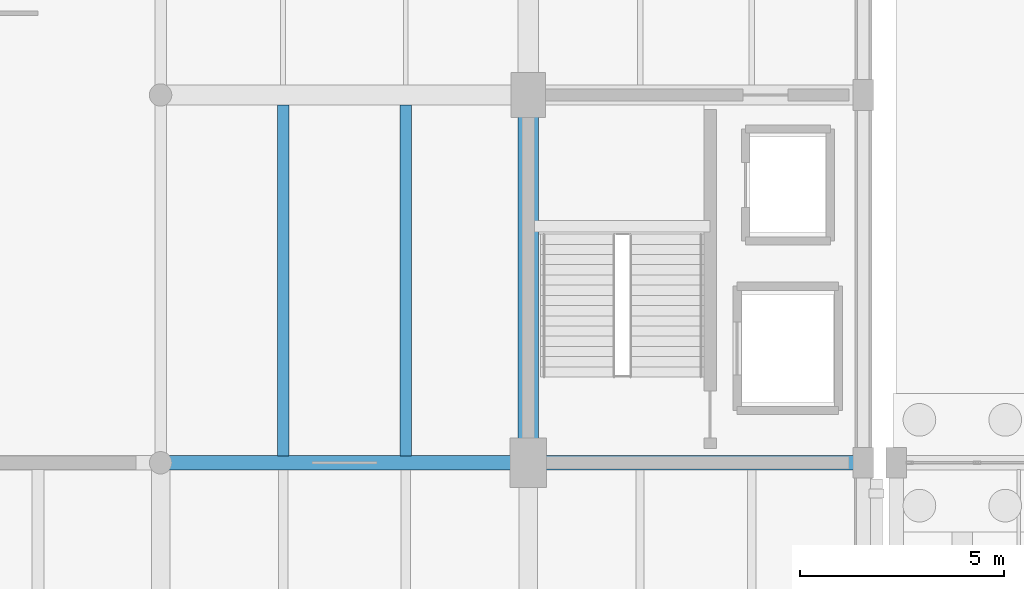
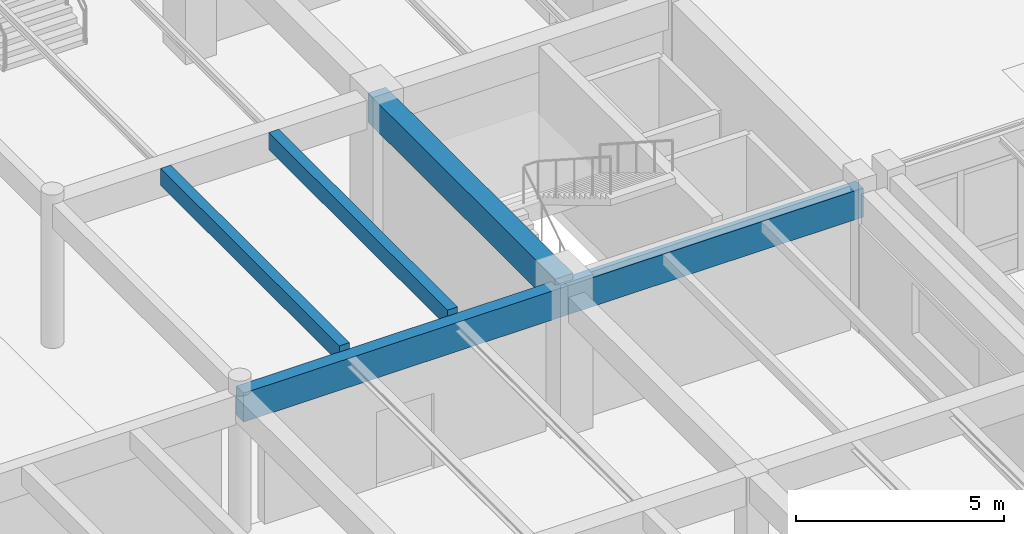
# One storey, part 46 of 186: 5 beams.
"""IFC4 building model written with IfcOpenShell, lengths in metres."""

from ifc_helpers import new_model, si_unit, direction, frame, origin, origin_2d, place, context, subcontext, project, spatial, rectangle, extrude, material, material_profile, profile_set, type_object, element, save


model = new_model("IFC4")

# Units and contexts
model_context = context("Model", 3, precision=1e-05, world=origin(), true_north=direction((0.0, 1.0)))
body_context = subcontext(model_context, "Body", "Model", "MODEL_VIEW")
ifc_project = project(units=[si_unit("LENGTHUNIT", "METRE"), si_unit("AREAUNIT", "SQUARE_METRE"), si_unit("VOLUMEUNIT", "CUBIC_METRE"), si_unit("PLANEANGLEUNIT", "RADIAN"), si_unit("MASSUNIT", "GRAM", prefix="KILO")], contexts=[model_context])

# Site, building, storey
site_placement = place(None, origin())
site = spatial("IfcSite", under=ifc_project, at=site_placement, CompositionType="ELEMENT")
building_placement = place(site_placement, origin())
building = spatial("IfcBuilding", under=site, at=building_placement, Name="Ornek Quay Market", CompositionType="ELEMENT")
storey_placement = place(building_placement, origin())
storey = spatial("IfcBuildingStorey", under=building, at=storey_placement, Name="L00", CompositionType="ELEMENT", Elevation=0.0)

# Beams
ifc_material_1 = material(Name="Concrete C40/50", Category="concrete")
ifc_material_profile_1 = material_profile(ifc_material_1, rectangle(XDim=0.5, YDim=0.85009765625, at=origin_2d()), Name="RC 500x850", Category="concrete")
ifc_profile_set_1 = profile_set([ifc_material_profile_1], Name="Concrete C40/50")
beam_type_1 = type_object("IfcBeamType", Name="BM-GAL-500x850", PredefinedType="BEAM", material=ifc_profile_set_1)
beam_1_placement = place(storey_placement, frame((117.0, 29.0, 3.81494140625), z_axis=(0.0, 1.0, 0.0), x_axis=(-1.0, 0.0, 0.0)))
element("IfcBeam", 1, at=beam_1_placement, inside=storey, type_object=beam_type_1, Name="Primary beam B-GL1-040", PredefinedType="BEAM", context=body_context, shape_type="SweptSolid", body=[
    extrude(rectangle(XDim=0.5, YDim=0.85009765625, at=origin_2d()), origin(), (0.0, 0.0, 1.0), 9.0),
])
ifc_material_2 = material(Name="Concrete C35/45", Category="concrete")
ifc_material_profile_2 = material_profile(ifc_material_2, rectangle(XDim=0.280029296875, YDim=0.5, at=origin_2d()), Name="RC 280x500", Category="concrete")
ifc_profile_set_2 = profile_set([ifc_material_profile_2], Name="Concrete C35/45")
beam_type_2 = type_object("IfcBeamType", Name="BM-SEC-280x500", PredefinedType="JOIST", material=ifc_profile_set_2)
for number, where, z_axis, x_axis, name in (
    (2, (111.0, 29.1669921875, 3.989990234375), (0.0, 1.0, 0.0), (-1.0, 0.0, 0.0), "Secondary joist B-SC2-047"),
    (3, (114.0, 29.1669921875, 3.989990234375), (0.0, 1.0, 0.0), (-1.0, 0.0, 0.0), "Secondary joist B-SC2-048"),
):
    element("IfcBeam", number, at=place(storey_placement, frame(where, z_axis=z_axis, x_axis=x_axis)), inside=storey, type_object=beam_type_2, Name=name, PredefinedType="JOIST", context=body_context, shape_type="SweptSolid", body=[
        extrude(rectangle(XDim=0.280029296875, YDim=0.5, at=origin_2d()), origin(), (0.0, 0.0, 1.0), 8.591064453125),
    ])
ifc_material_profile_3 = material_profile(ifc_material_1, rectangle(XDim=0.35009765625, YDim=0.85009765625, at=origin_2d()), Name="RC 350x850", Category="concrete")
ifc_profile_set_3 = profile_set([ifc_material_profile_3], Name="Concrete C40/50")
beam_type_3 = type_object("IfcBeamType", Name="BM-SPN-350x850", PredefinedType="SPANDREL", material=ifc_profile_set_3)
beam_2_placement = place(storey_placement, frame((108.0, 29.0, 3.635009765625), z_axis=(1.0, 0.0, 0.0), x_axis=(0.0, 1.0, 0.0)))
element("IfcBeam", 4, at=beam_2_placement, inside=storey, type_object=beam_type_3, Name="Primary beam B-SP1-084", PredefinedType="SPANDREL", context=body_context, shape_type="SweptSolid", body=[
    extrude(rectangle(XDim=0.35009765625, YDim=0.85009765625, at=origin_2d()), origin(), (0.0, 0.0, 1.0), 9.0),
])
beam_3_placement = place(storey_placement, frame((117.0, 29.0, 3.635009765625), z_axis=(1.0, 0.0, 0.0), x_axis=(0.0, 1.0, 0.0)))
element("IfcBeam", 5, at=beam_3_placement, inside=storey, type_object=beam_type_3, Name="Primary beam B-SP1-085", PredefinedType="SPANDREL", context=body_context, shape_type="SweptSolid", body=[
    extrude(rectangle(XDim=0.35009765625, YDim=0.85009765625, at=origin_2d()), origin(), (0.0, 0.0, 1.0), 8.199951171875),
])

save(model, "model.ifc")
